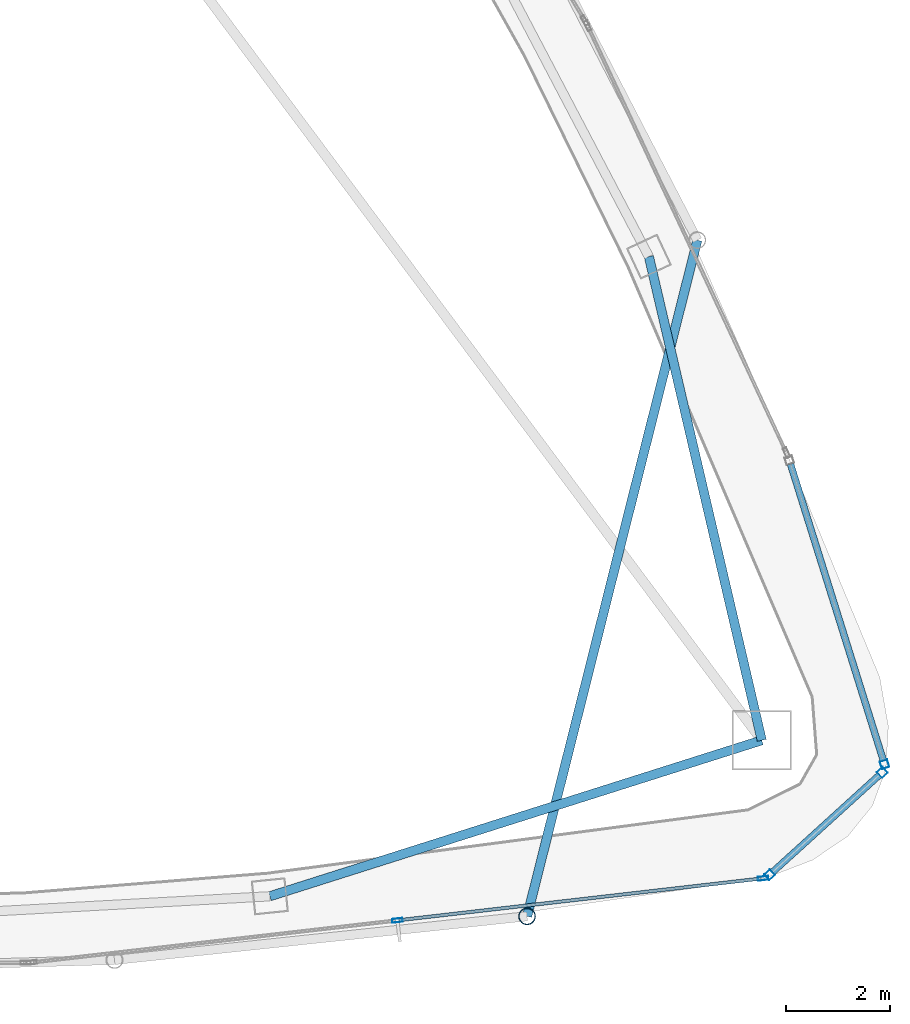
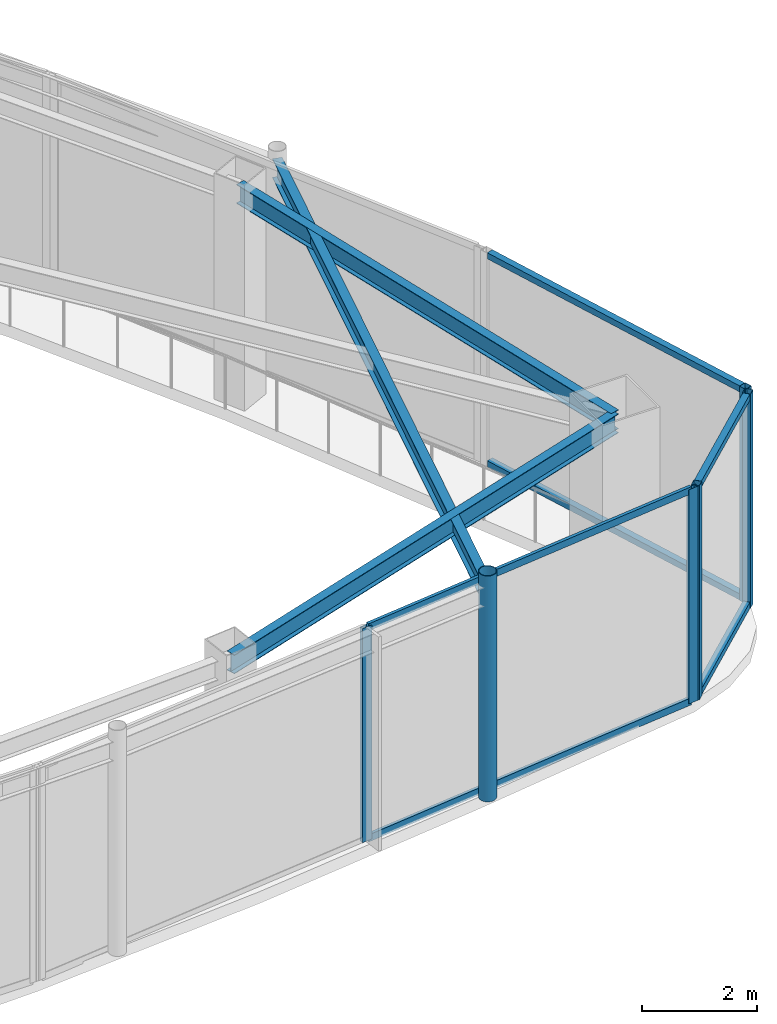
# One storey, part 11 of 19: 12 members, 3 beams, 3 elements without a shape of their own.
"""IFC4 building model written with IfcOpenShell, lengths in metres."""

from ifc_helpers import new_model, si_unit, direction, frame, origin, origin_2d, place, context, subcontext, project, spatial, hollow_rectangle, hollow_circle, i_section, extrude, material, layer, layer_set, material_profile, profile_set, type_object, element, aggregate, save


model = new_model("IFC4")

# Units and contexts
model_context = context("Model", 3, precision=1e-05, world=origin(), true_north=direction((0.0, 1.0)))
body_context = subcontext(model_context, "Body", "Model", "MODEL_VIEW")
ifc_project = project(units=[si_unit("LENGTHUNIT", "METRE"), si_unit("AREAUNIT", "SQUARE_METRE"), si_unit("VOLUMEUNIT", "CUBIC_METRE"), si_unit("PLANEANGLEUNIT", "RADIAN"), si_unit("MASSUNIT", "GRAM", prefix="KILO")], contexts=[model_context])

# Site, building, storey
site_placement = place(None, origin())
site = spatial("IfcSite", under=ifc_project, at=site_placement, CompositionType="ELEMENT")
building_placement = place(site_placement, origin())
building = spatial("IfcBuilding", under=site, at=building_placement, Name="Orvanel Arch Residences", CompositionType="ELEMENT")
storey_placement = place(building_placement, frame((0.0, 0.0, 286.10009765625)))
storey = spatial("IfcBuildingStorey", under=building, at=storey_placement, Name="L81", CompositionType="ELEMENT", Elevation=286.10009765625)

# Curtain wall, members
ifc_material_1 = material(Name="Bronze-anodised aluminium AA6063-T6", Category="aluminium")
ifc_layer = layer(ifc_material_1, 0.2099609375)
ifc_layer_set = layer_set([ifc_layer], Name="Bronze-anodised aluminium AA6063-T6")
curtain_wall_type = type_object("IfcCurtainWallType", Name="CW7-TOP-SYS", PredefinedType="NOTDEFINED", material=ifc_layer_set)
curtain_wall_1_placement = place(storey_placement, origin())
curtain_wall_1 = element("IfcCurtainWall", 1, at=curtain_wall_1_placement, inside=storey, type_object=curtain_wall_type, Name="L81 CW7-TOP-SYS Unitised Curtain Wall", PredefinedType="NOTDEFINED")
ifc_material_profile_1 = material_profile(ifc_material_1, hollow_rectangle(XDim=0.14990234375, YDim=0.14990234375, WallThickness=0.0048828125, at=origin_2d()), Name="ALU150x150x5")
ifc_profile_set_1 = profile_set([ifc_material_profile_1], Name="Bronze-anodised aluminium AA6063-T6")
member_type_1 = type_object("IfcMemberType", Name="MUL-150x150", PredefinedType="MULLION", material=ifc_profile_set_1)
member_1_placement = place(storey_placement, frame((51.95361328125, 7.76953125, 0.0), z_axis=(0.0, 0.0, 1.0), x_axis=(-0.672462257522, 0.740131415499, 0.0)))
member_1 = element("IfcMember", 2, at=member_1_placement, type_object=member_type_1, Name="CW-S7 mullion 1", PredefinedType="MULLION", context=body_context, shape_type="SweptSolid", body=[
    extrude(hollow_rectangle(XDim=0.14990234375, YDim=0.14990234375, WallThickness=0.0048828125, at=origin_2d()), origin(), (0.0, 0.0, 1.0), 4.5498046875),
])
member_2_placement = place(storey_placement, frame((54.117431640625, 9.735595703125, 0.0), z_axis=(0.0, 0.0, 1.0), x_axis=(-0.672462257522, 0.740131415499, 0.0)))
member_2 = element("IfcMember", 3, at=member_2_placement, type_object=member_type_1, Name="CW-S7 mullion 2", PredefinedType="MULLION", context=body_context, shape_type="SweptSolid", body=[
    extrude(hollow_rectangle(XDim=0.14990234375, YDim=0.14990234375, WallThickness=0.0048828125, at=origin_2d()), origin(), (0.0, 0.0, 1.0), 4.5498046875),
])

# Curtain wall, member
curtain_wall_2_placement = place(storey_placement, origin())
curtain_wall_2 = element("IfcCurtainWall", 4, at=curtain_wall_2_placement, inside=storey, type_object=curtain_wall_type, Name="L81 CW7-TOP-SYS Unitised Curtain Wall", PredefinedType="NOTDEFINED")
member_3_placement = place(storey_placement, frame((54.15966796875, 9.8896484375, 0.0), z_axis=(0.0, 0.0, 1.0), x_axis=(-0.954283945864, -0.298901573542, 0.0)))
member_3 = element("IfcMember", 5, at=member_3_placement, type_object=member_type_1, Name="CW-S7 mullion 1", PredefinedType="MULLION", context=body_context, shape_type="SweptSolid", body=[
    extrude(hollow_rectangle(XDim=0.14990234375, YDim=0.14990234375, WallThickness=0.0048828125, at=origin_2d()), origin(), (0.0, 0.0, 1.0), 4.5498046875),
])

# Curtain wall, members
curtain_wall_3_placement = place(storey_placement, origin())
curtain_wall_3 = element("IfcCurtainWall", 6, at=curtain_wall_3_placement, inside=storey, type_object=curtain_wall_type, Name="L81 CW7-TOP-SYS Unitised Curtain Wall", PredefinedType="NOTDEFINED")
ifc_material_profile_2 = material_profile(ifc_material_1, hollow_rectangle(XDim=0.074951171875, YDim=0.199951171875, WallThickness=0.0048828125, at=origin_2d()), Name="ALU200x75x5")
ifc_profile_set_2 = profile_set([ifc_material_profile_2], Name="Bronze-anodised aluminium AA6063-T6")
member_type_2 = type_object("IfcMemberType", Name="MUL-200x75", PredefinedType="MULLION", material=ifc_profile_set_2)
member_4_placement = place(storey_placement, frame((44.802001953125, 6.89208984375, 0.0), z_axis=(0.0, 0.0, 1.0), x_axis=(-0.11424494002, 0.9934526127, 0.0)))
member_4 = element("IfcMember", 7, at=member_4_placement, type_object=member_type_2, Name="CW-S7 mullion 2", PredefinedType="MULLION", context=body_context, shape_type="SweptSolid", body=[
    extrude(hollow_rectangle(XDim=0.074951171875, YDim=0.199951171875, WallThickness=0.0048828125, at=origin_2d()), origin(), (0.0, 0.0, 1.0), 4.5498046875),
])
member_5_placement = place(storey_placement, frame((51.82568359375, 7.69970703125, 0.0), z_axis=(0.0, 0.0, 1.0), x_axis=(-0.11424494002, 0.9934526127, 0.0)))
member_5 = element("IfcMember", 8, at=member_5_placement, type_object=member_type_2, Name="CW-S7 mullion 3", PredefinedType="MULLION", context=body_context, shape_type="SweptSolid", body=[
    extrude(hollow_rectangle(XDim=0.074951171875, YDim=0.199951171875, WallThickness=0.0048828125, at=origin_2d()), origin(), (0.0, 0.0, 1.0), 4.5498046875),
])

# Beams
ifc_material_2 = material(Name="Structural steel AS/NZS 3679.1 Grade 300 (300 MPa)", Category="steel")
ifc_material_profile_3 = material_profile(ifc_material_2, i_section(OverallWidth=0.177978515625, OverallDepth=0.406005859375, WebThickness=0.0078125, FlangeThickness=0.0126953125, at=origin_2d()), Name="410UB59.7")
ifc_profile_set_3 = profile_set([ifc_material_profile_3], Name="Structural steel AS/NZS 3679.1 Grade 300 (300 MPa)")
beam_type_1 = type_object("IfcBeamType", Name="OB-410UB", PredefinedType="SPANDREL", material=ifc_profile_set_3)
beam_1_placement = place(storey_placement, frame((42.35107421875, 7.35498046875, 4.346923828125), z_axis=(0.953237386592, 0.302222574941, 0.0), x_axis=(-0.302222574941, 0.953237386592, 0.0)))
element("IfcBeam", 9, at=beam_1_placement, inside=storey, type_object=beam_type_1, Name="L81 Perimeter Spandrel Beam 05", PredefinedType="SPANDREL", context=body_context, shape_type="SweptSolid", body=[
    extrude(i_section(OverallWidth=0.177978515625, OverallDepth=0.406005859375, WebThickness=0.0078125, FlangeThickness=0.0126953125, at=origin_2d()), origin(), (0.0, 0.0, 1.0), 9.91357421875),
])
beam_2_placement = place(storey_placement, frame((51.801025390625, 10.35107421875, 4.346923828125), z_axis=(-0.227236087167, 0.973839699688, 0.0), x_axis=(-0.973839699688, -0.227236087167, 0.0)))
element("IfcBeam", 10, at=beam_2_placement, inside=storey, type_object=beam_type_1, Name="L81 Perimeter Spandrel Beam 06", PredefinedType="SPANDREL", context=body_context, shape_type="SweptSolid", body=[
    extrude(i_section(OverallWidth=0.177978515625, OverallDepth=0.406005859375, WebThickness=0.0078125, FlangeThickness=0.0126953125, at=origin_2d()), origin(), (0.0, 0.0, 1.0), 9.54052734375),
])
ifc_material_profile_4 = material_profile(ifc_material_2, i_section(OverallWidth=0.177978515625, OverallDepth=0.406005859375, WebThickness=0.0078125, FlangeThickness=0.0126953125, at=origin_2d()), Name="410UB59.7")
ifc_profile_set_4 = profile_set([ifc_material_profile_4], Name="Structural steel AS/NZS 3679.1 Grade 300 (300 MPa)")
beam_type_2 = type_object("IfcBeamType", Name="OB-410UB-EXT", PredefinedType="SPANDREL", material=ifc_profile_set_4)
beam_3_placement = place(storey_placement, frame((47.29296875, 6.969970703125, 4.346923828125), z_axis=(0.244220827224, 0.969719643789, 0.0), x_axis=(-0.969719643789, 0.244220827224, 0.0)))
element("IfcBeam", 11, at=beam_3_placement, inside=storey, type_object=beam_type_2, Name="L81 Outer Perimeter Floor Ring Beam 08", PredefinedType="SPANDREL", context=body_context, shape_type="SweptSolid", body=[
    extrude(i_section(OverallWidth=0.177978515625, OverallDepth=0.406005859375, WebThickness=0.0078125, FlangeThickness=0.0126953125, at=origin_2d()), origin(), (0.0, 0.0, 1.0), 13.3935546875),
])

# Member
ifc_material_3 = material(Name="Structural steel AS/NZS 1163 C350L0 (Grade 350)", Category="steel")
ifc_material_profile_5 = material_profile(ifc_material_3, hollow_circle(Radius=0.162109375, WallThickness=0.0126953125, at=origin_2d()), Name="CHS324x12.7")
ifc_profile_set_5 = profile_set([ifc_material_profile_5], Name="Structural steel AS/NZS 1163 C350L0 (Grade 350)")
member_type_3 = type_object("IfcMemberType", Name="ST-324CHS-EXT", PredefinedType="STRUT", material=ifc_profile_set_5)
member_6_placement = place(storey_placement, frame((47.29296875, 6.969970703125, 0.0), z_axis=(0.0, 0.0, 1.0), x_axis=(1.0, 0.0, 0.0)))
element("IfcMember", 12, at=member_6_placement, inside=storey, type_object=member_type_3, Name="L81 Outer Perimeter Frame Post 08", PredefinedType="STRUT", context=body_context, shape_type="SweptSolid", body=[
    extrude(hollow_circle(Radius=0.162109375, WallThickness=0.0126953125, at=origin_2d()), origin(), (0.0, 0.0, 1.0), 4.7998046875),
])

ifc_material_profile_6 = material_profile(ifc_material_1, hollow_rectangle(XDim=0.1298828125, YDim=0.1298828125, WallThickness=0.00439453125, at=origin_2d()), Name="ALU130x130x4.5")
ifc_profile_set_6 = profile_set([ifc_material_profile_6], Name="Bronze-anodised aluminium AA6063-T6")
member_type_4 = type_object("IfcMemberType", Name="TRN-130x130", PredefinedType="USERDEFINED", material=ifc_profile_set_6)
member_7_placement = place(storey_placement, frame((52.009033203125, 7.81982421875, 0.06494140625), z_axis=(0.740139175593, 0.672453716439, 0.0), x_axis=(-0.672453716439, 0.740139175593, 0.0)))
member_7 = element("IfcMember", 13, at=member_7_placement, type_object=member_type_4, Name="CW-S7 transom 1.1", ObjectType="TRANSOM", PredefinedType="USERDEFINED", context=body_context, shape_type="SweptSolid", body=[
    extrude(hollow_rectangle(XDim=0.1298828125, YDim=0.1298828125, WallThickness=0.00439453125, at=origin_2d()), origin(), (0.0, 0.0, 1.0), 2.773681640625),
])

member_8_placement = place(storey_placement, frame((52.009033203125, 7.81982421875, 4.48486328125), z_axis=(0.740139175593, 0.672453716439, 0.0), x_axis=(-0.672453716439, 0.740139175593, 0.0)))
member_8 = element("IfcMember", 14, at=member_8_placement, type_object=member_type_4, Name="CW-S7 transom 1.2", ObjectType="TRANSOM", PredefinedType="USERDEFINED", context=body_context, shape_type="SweptSolid", body=[
    extrude(hollow_rectangle(XDim=0.1298828125, YDim=0.1298828125, WallThickness=0.00439453125, at=origin_2d()), origin(), (0.0, 0.0, 1.0), 2.773681640625),
])

aggregate(curtain_wall_1, [member_1, member_2, member_7, member_8])

member_9_placement = place(storey_placement, frame((54.13720703125, 9.961181640625, 0.06494140625), z_axis=(-0.298912971075, 0.954280375845, 0.0), x_axis=(-0.954280375845, -0.298912971075, 0.0)))
member_9 = element("IfcMember", 15, at=member_9_placement, type_object=member_type_4, Name="CW-S7 transom 1.1", ObjectType="TRANSOM", PredefinedType="USERDEFINED", context=body_context, shape_type="SweptSolid", body=[
    extrude(hollow_rectangle(XDim=0.1298828125, YDim=0.1298828125, WallThickness=0.00439453125, at=origin_2d()), origin(), (0.0, 0.0, 1.0), 5.9697265625),
])

member_10_placement = place(storey_placement, frame((54.13720703125, 9.961181640625, 4.48486328125), z_axis=(-0.298912971075, 0.954280375845, 0.0), x_axis=(-0.954280375845, -0.298912971075, 0.0)))
member_10 = element("IfcMember", 16, at=member_10_placement, type_object=member_type_4, Name="CW-S7 transom 1.2", ObjectType="TRANSOM", PredefinedType="USERDEFINED", context=body_context, shape_type="SweptSolid", body=[
    extrude(hollow_rectangle(XDim=0.1298828125, YDim=0.1298828125, WallThickness=0.00439453125, at=origin_2d()), origin(), (0.0, 0.0, 1.0), 5.9697265625),
])

aggregate(curtain_wall_2, [member_3, member_9, member_10])

ifc_material_profile_7 = material_profile(ifc_material_1, hollow_rectangle(XDim=0.06494140625, YDim=0.14990234375, WallThickness=0.00390625, at=origin_2d()), Name="ALU150x65x4")
ifc_profile_set_7 = profile_set([ifc_material_profile_7], Name="Bronze-anodised aluminium AA6063-T6")
member_type_5 = type_object("IfcMemberType", Name="TRN-150x65", PredefinedType="USERDEFINED", material=ifc_profile_set_7)
member_11_placement = place(storey_placement, frame((44.83935546875, 6.896240234375, 0.032470703125), z_axis=(0.993453799179, 0.114234622144, 0.0), x_axis=(-0.114234622144, 0.993453799179, 0.0)))
member_11 = element("IfcMember", 17, at=member_11_placement, type_object=member_type_5, Name="CW-S7 transom 2.1", ObjectType="TRANSOM", PredefinedType="USERDEFINED", context=body_context, shape_type="SweptSolid", body=[
    extrude(hollow_rectangle(XDim=0.06494140625, YDim=0.14990234375, WallThickness=0.00390625, at=origin_2d()), origin(), (0.0, 0.0, 1.0), 6.9951171875),
])

member_12_placement = place(storey_placement, frame((44.83935546875, 6.896240234375, 4.517333984375), z_axis=(0.993453799179, 0.114234622144, 0.0), x_axis=(-0.114234622144, 0.993453799179, 0.0)))
member_12 = element("IfcMember", 18, at=member_12_placement, type_object=member_type_5, Name="CW-S7 transom 2.2", ObjectType="TRANSOM", PredefinedType="USERDEFINED", context=body_context, shape_type="SweptSolid", body=[
    extrude(hollow_rectangle(XDim=0.06494140625, YDim=0.14990234375, WallThickness=0.00390625, at=origin_2d()), origin(), (0.0, 0.0, 1.0), 6.9951171875),
])

aggregate(curtain_wall_3, [member_4, member_5, member_11, member_12])

save(model, "model.ifc")
